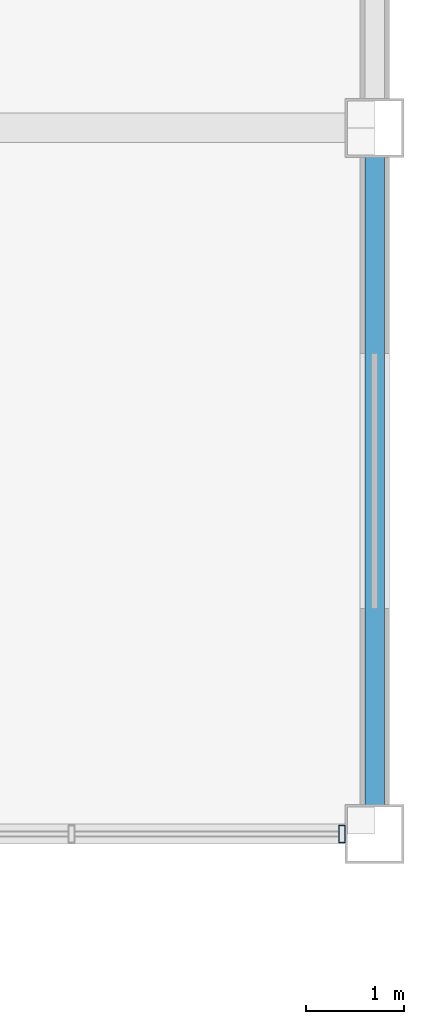
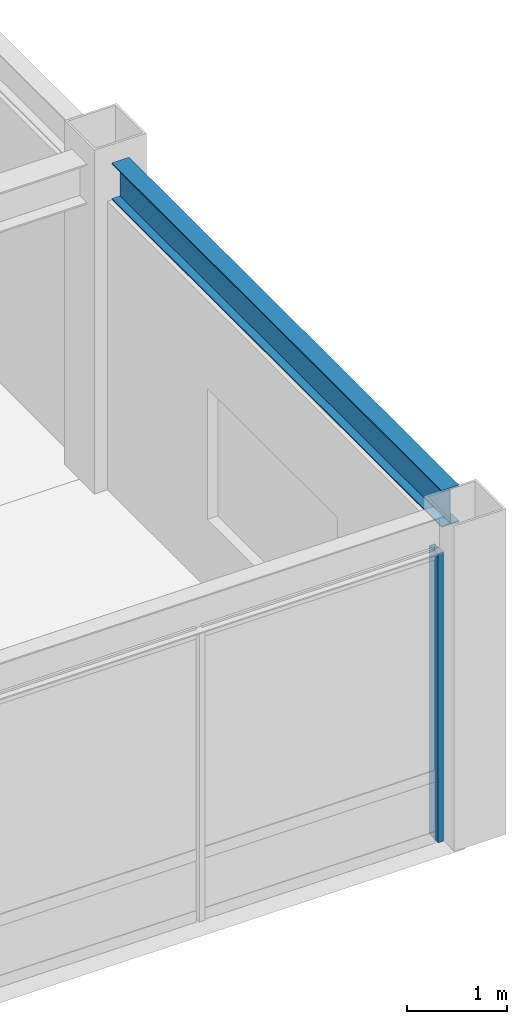
# One storey, part 75 of 106: 1 beam, 1 member, 1 element without a shape of its own.
"""IFC4 building model written with IfcOpenShell, lengths in metres."""

from ifc_helpers import new_model, si_unit, direction, frame, origin, origin_2d, place, context, subcontext, project, spatial, hollow_rectangle, i_section, extrude, material, material_profile, profile_set, type_object, element, aggregate, save


model = new_model("IFC4")

# Units and contexts
model_context = context("Model", 3, precision=1e-05, world=origin(), true_north=direction((0.0, 1.0)))
body_context = subcontext(model_context, "Body", "Model", "MODEL_VIEW")
ifc_project = project(units=[si_unit("LENGTHUNIT", "METRE"), si_unit("AREAUNIT", "SQUARE_METRE"), si_unit("VOLUMEUNIT", "CUBIC_METRE"), si_unit("PLANEANGLEUNIT", "RADIAN"), si_unit("MASSUNIT", "GRAM", prefix="KILO")], contexts=[model_context])

# Site, building, storey
site_placement = place(None, origin())
site = spatial("IfcSite", under=ifc_project, at=site_placement, CompositionType="ELEMENT")
building_placement = place(site_placement, origin())
building = spatial("IfcBuilding", under=site, at=building_placement, Name="Kazanami Central Library", CompositionType="ELEMENT")
storey_placement = place(building_placement, frame((0.0, 0.0, 12.800048828125)))
storey = spatial("IfcBuildingStorey", under=building, at=storey_placement, Name="L04", CompositionType="ELEMENT", Elevation=12.800048828125)

# Beam
ifc_material_1 = material(Name="Steel SN490B (325 MPa)", Category="steel")
ifc_material_profile_1 = material_profile(ifc_material_1, i_section(OverallWidth=0.199951171875, OverallDepth=0.449951171875, WebThickness=0.009033203125, FlangeThickness=0.013916015625, at=origin_2d()), Name="H-450x200x9x14")
ifc_profile_set_1 = profile_set([ifc_material_profile_1], Name="Steel SN490B (325 MPa)")
beam_type = type_object("IfcBeamType", Name="BM-SP-2", PredefinedType="SPANDREL", material=ifc_profile_set_1)
beam_placement = place(storey_placement, frame((162.0, 43.498046875, 3.75), z_axis=(0.0, 1.0, 0.0), x_axis=(-1.0, 0.0, 0.0)))
element("IfcBeam", 1, at=beam_placement, inside=storey, type_object=beam_type, Name="Girder SP-2 L04 19/G-H", PredefinedType="SPANDREL", context=body_context, shape_type="SweptSolid", body=[
    extrude(i_section(OverallWidth=0.199951171875, OverallDepth=0.449951171875, WebThickness=0.009033203125, FlangeThickness=0.013916015625, at=origin_2d()), origin(), (0.0, 0.0, 1.0), 6.60400390625),
])

# Curtain wall, member
ifc_material_2 = material(Name="Acid-Etched Low-E Laminated Glass", Category="glass")
curtain_wall_type = type_object("IfcCurtainWallType", Name="CW-8375x3525-M275", PredefinedType="USERDEFINED", material=ifc_material_2)
curtain_wall_placement = place(storey_placement, origin())
curtain_wall = element("IfcCurtainWall", 2, at=curtain_wall_placement, inside=storey, type_object=curtain_wall_type, Name="Unitised Curtain Wall CW-38 L04 S-G-17", ObjectType="UNITISED CURTAIN WALL", PredefinedType="USERDEFINED")
ifc_material_3 = material(Name="Anodised Aluminium A6063-T5", Category="aluminium")
ifc_material_profile_2 = material_profile(ifc_material_3, hollow_rectangle(XDim=0.06494140625, YDim=0.179931640625, WallThickness=0.00390625, at=origin_2d()), Name="ALU-MULL-65x180x4")
ifc_profile_set_2 = profile_set([ifc_material_profile_2], Name="Anodised Aluminium A6063-T5")
member_type = type_object("IfcMemberType", Name="MEM-CW-M2", PredefinedType="MULLION", material=ifc_profile_set_2)
member_placement = place(storey_placement, frame((161.66748046875, 43.199951171875, 0.0), z_axis=(0.0, 0.0, 1.0), x_axis=(1.0, 0.0, 0.0)))
member = element("IfcMember", 3, at=member_placement, type_object=member_type, Name="CW-38 mullion 4", PredefinedType="MULLION", context=body_context, shape_type="SweptSolid", body=[
    extrude(hollow_rectangle(XDim=0.06494140625, YDim=0.179931640625, WallThickness=0.00390625, at=origin_2d()), origin(), (0.0, 0.0, 1.0), 3.52490234375),
])
aggregate(curtain_wall, [member])

save(model, "model.ifc")
